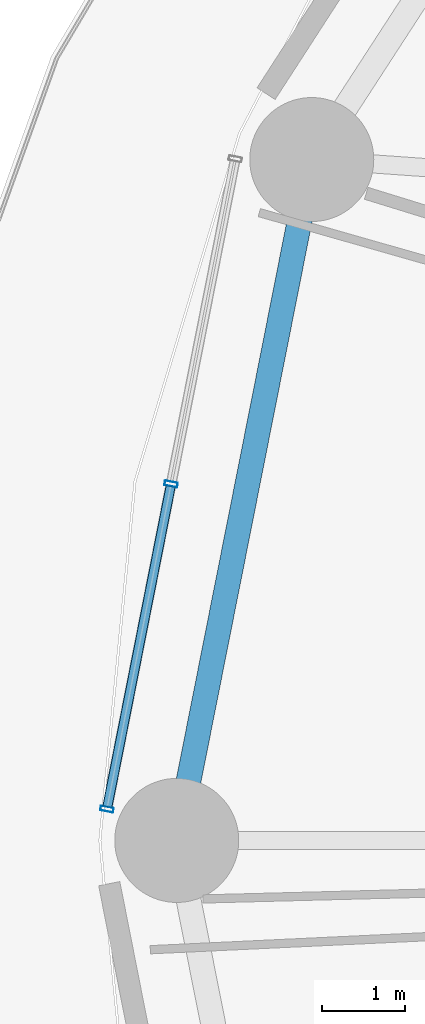
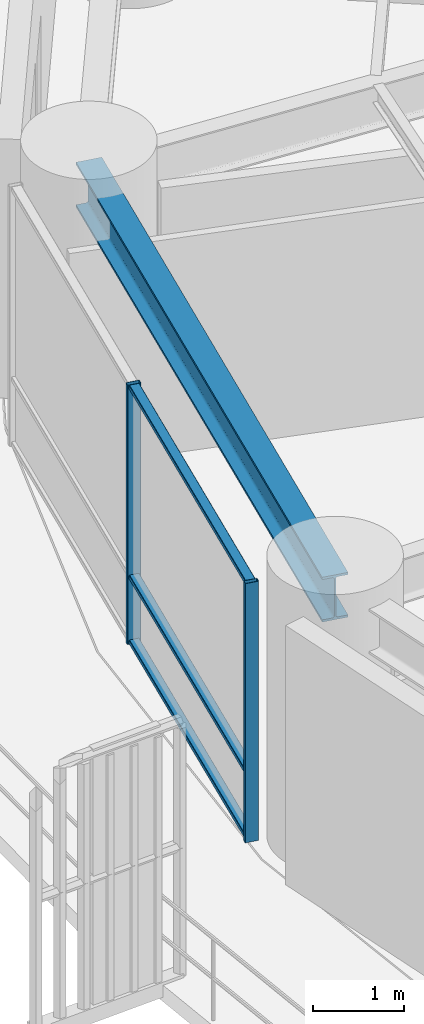
# One storey, part 6 of 33: 5 members, 1 beam, 1 element without a shape of its own.
"""IFC4 building model written with IfcOpenShell, lengths in metres."""

from ifc_helpers import new_model, si_unit, direction, frame, origin, origin_2d, place, context, subcontext, project, spatial, hollow_rectangle, i_section, extrude, material, layer, layer_set, material_profile, profile_set, type_object, element, aggregate, save


model = new_model("IFC4")

# Units and contexts
model_context = context("Model", 3, precision=1e-05, world=origin(), true_north=direction((0.0, 1.0)))
body_context = subcontext(model_context, "Body", "Model", "MODEL_VIEW")
ifc_project = project(units=[si_unit("LENGTHUNIT", "METRE"), si_unit("AREAUNIT", "SQUARE_METRE"), si_unit("VOLUMEUNIT", "CUBIC_METRE"), si_unit("PLANEANGLEUNIT", "RADIAN"), si_unit("MASSUNIT", "GRAM", prefix="KILO")], contexts=[model_context])

# Site, building, storey
site_placement = place(None, origin())
site = spatial("IfcSite", under=ifc_project, at=site_placement, CompositionType="ELEMENT")
building_placement = place(site_placement, origin())
building = spatial("IfcBuilding", under=site, at=building_placement, Name="Kelanora Arch Commons", CompositionType="ELEMENT")
storey_placement = place(building_placement, frame((0.0, 0.0, 37.5)))
storey = spatial("IfcBuildingStorey", under=building, at=storey_placement, Name="L09", CompositionType="ELEMENT", Elevation=37.5)

# Beam
ifc_material_1 = material(Name="Steel S355", Category="steel")
ifc_material_profile_1 = material_profile(ifc_material_1, i_section(OverallWidth=0.300048828125, OverallDepth=0.60009765625, WebThickness=0.015380859375, FlangeThickness=0.030029296875, FilletRadius=0.027099609375, at=origin_2d()), Name="HEB600")
ifc_profile_set_1 = profile_set([ifc_material_profile_1], Name="Steel S355")
beam_type = type_object("IfcBeamType", Name="BM-SPN-Z1", PredefinedType="SPANDREL", material=ifc_profile_set_1)
beam_placement = place(storey_placement, frame((48.552978515625, 66.23583984375, 3.18994140625), z_axis=(-0.194499827256, -0.980902552345, 0.0), x_axis=(0.980902552345, -0.194499827256, 0.0)))
element("IfcBeam", 1, at=beam_placement, inside=storey, type_object=beam_type, Name="Perimeter Spandrel Beam BS-16 L09", PredefinedType="SPANDREL", context=body_context, shape_type="SweptSolid", body=[
    extrude(i_section(OverallWidth=0.300048828125, OverallDepth=0.60009765625, WebThickness=0.015380859375, FlangeThickness=0.030029296875, FilletRadius=0.027099609375, at=origin_2d()), origin(), (0.0, 0.0, 1.0), 8.396240234375),
])

# Curtain wall, members
ifc_material_2 = material(Name="Terracotta ceramic-fritted low-E glass and aluminium", Category="masonry")
ifc_layer = layer(ifc_material_2, 0.159912109375)
ifc_layer_set = layer_set([ifc_layer], Name="Terracotta ceramic-fritted low-E glass and aluminium")
curtain_wall_type = type_object("IfcCurtainWallType", Name="CW-SYS-01", PredefinedType="NOTDEFINED", material=ifc_layer_set)
curtain_wall_placement = place(storey_placement, origin())
curtain_wall = element("IfcCurtainWall", 2, at=curtain_wall_placement, inside=storey, type_object=curtain_wall_type, Name="Unitised Curtain Wall L09-B08", PredefinedType="NOTDEFINED")
ifc_material_3 = material(Name="Powder-coated aluminium terracotta", Category="masonry")
ifc_material_profile_2 = material_profile(ifc_material_3, hollow_rectangle(XDim=0.159912109375, YDim=0.06005859375, WallThickness=0.0048828125, InnerFilletRadius=0.0048828125, OuterFilletRadius=0.010009765625, at=origin_2d()), Name="CWM160x60")
ifc_profile_set_2 = profile_set([ifc_material_profile_2], Name="Powder-coated aluminium terracotta")
member_type_1 = type_object("IfcMemberType", Name="CWM-STD", PredefinedType="MULLION", material=ifc_profile_set_2)
member_1_placement = place(storey_placement, frame((46.8515625, 62.3115234375, 0.0), z_axis=(0.0, 0.0, 1.0), x_axis=(0.981052110579, -0.193744048498, 0.0)))
member_1 = element("IfcMember", 3, at=member_1_placement, type_object=member_type_1, Name="CW-01 mullion 2", PredefinedType="MULLION", context=body_context, shape_type="SweptSolid", body=[
    extrude(hollow_rectangle(XDim=0.159912109375, YDim=0.06005859375, WallThickness=0.0048828125, InnerFilletRadius=0.0048828125, OuterFilletRadius=0.010009765625, at=origin_2d()), origin(), (0.0, 0.0, 1.0), 3.47509765625),
])
member_2_placement = place(storey_placement, frame((46.074951171875, 58.379150390625, 0.0), z_axis=(0.0, 0.0, 1.0), x_axis=(0.981052110579, -0.193744048498, 0.0)))
member_2 = element("IfcMember", 4, at=member_2_placement, type_object=member_type_1, Name="CW-01 mullion 3", PredefinedType="MULLION", context=body_context, shape_type="SweptSolid", body=[
    extrude(hollow_rectangle(XDim=0.159912109375, YDim=0.06005859375, WallThickness=0.0048828125, InnerFilletRadius=0.0048828125, OuterFilletRadius=0.010009765625, at=origin_2d()), origin(), (0.0, 0.0, 1.0), 3.47509765625),
])
ifc_material_profile_3 = material_profile(ifc_material_3, hollow_rectangle(XDim=0.1201171875, YDim=0.06005859375, WallThickness=0.0048828125, InnerFilletRadius=0.0048828125, OuterFilletRadius=0.010009765625, at=origin_2d()), Name="CWT120x60")
ifc_profile_set_3 = profile_set([ifc_material_profile_3], Name="Powder-coated aluminium terracotta")
member_type_2 = type_object("IfcMemberType", Name="CWT-STD", PredefinedType="USERDEFINED", material=ifc_profile_set_3)
member_3_placement = place(storey_placement, frame((46.845703125, 62.281982421875, 0.030029296875), z_axis=(-0.193725436624, -0.98105578598, 0.0), x_axis=(0.98105578598, -0.193725436624, 0.0)))
member_3 = element("IfcMember", 5, at=member_3_placement, type_object=member_type_2, Name="CW-01 transom 2.1", ObjectType="TRANSOM", PredefinedType="USERDEFINED", context=body_context, shape_type="SweptSolid", body=[
    extrude(hollow_rectangle(XDim=0.1201171875, YDim=0.06005859375, WallThickness=0.0048828125, InnerFilletRadius=0.0048828125, OuterFilletRadius=0.010009765625, at=origin_2d()), origin(), (0.0, 0.0, 1.0), 3.9482421875),
])
member_4_placement = place(storey_placement, frame((46.845703125, 62.281982421875, 0.89990234375), z_axis=(-0.193725436624, -0.98105578598, 0.0), x_axis=(0.98105578598, -0.193725436624, 0.0)))
member_4 = element("IfcMember", 6, at=member_4_placement, type_object=member_type_2, Name="CW-01 transom 2.2", ObjectType="TRANSOM", PredefinedType="USERDEFINED", context=body_context, shape_type="SweptSolid", body=[
    extrude(hollow_rectangle(XDim=0.1201171875, YDim=0.06005859375, WallThickness=0.0048828125, InnerFilletRadius=0.0048828125, OuterFilletRadius=0.010009765625, at=origin_2d()), origin(), (0.0, 0.0, 1.0), 3.9482421875),
])
member_5_placement = place(storey_placement, frame((46.845703125, 62.281982421875, 3.445068359375), z_axis=(-0.193725436624, -0.98105578598, 0.0), x_axis=(0.98105578598, -0.193725436624, 0.0)))
member_5 = element("IfcMember", 7, at=member_5_placement, type_object=member_type_2, Name="CW-01 transom 2.3", ObjectType="TRANSOM", PredefinedType="USERDEFINED", context=body_context, shape_type="SweptSolid", body=[
    extrude(hollow_rectangle(XDim=0.1201171875, YDim=0.06005859375, WallThickness=0.0048828125, InnerFilletRadius=0.0048828125, OuterFilletRadius=0.010009765625, at=origin_2d()), origin(), (0.0, 0.0, 1.0), 3.9482421875),
])
aggregate(curtain_wall, [member_1, member_2, member_3, member_4, member_5])

save(model, "model.ifc")
